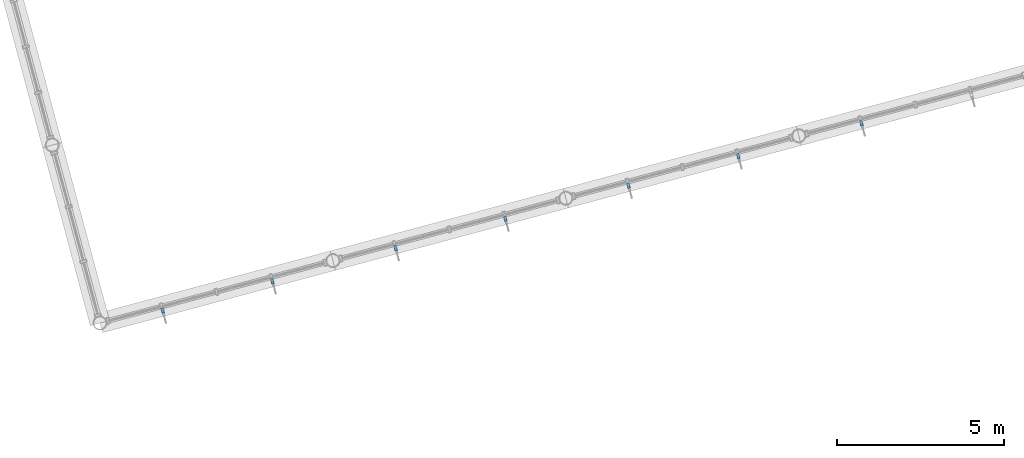
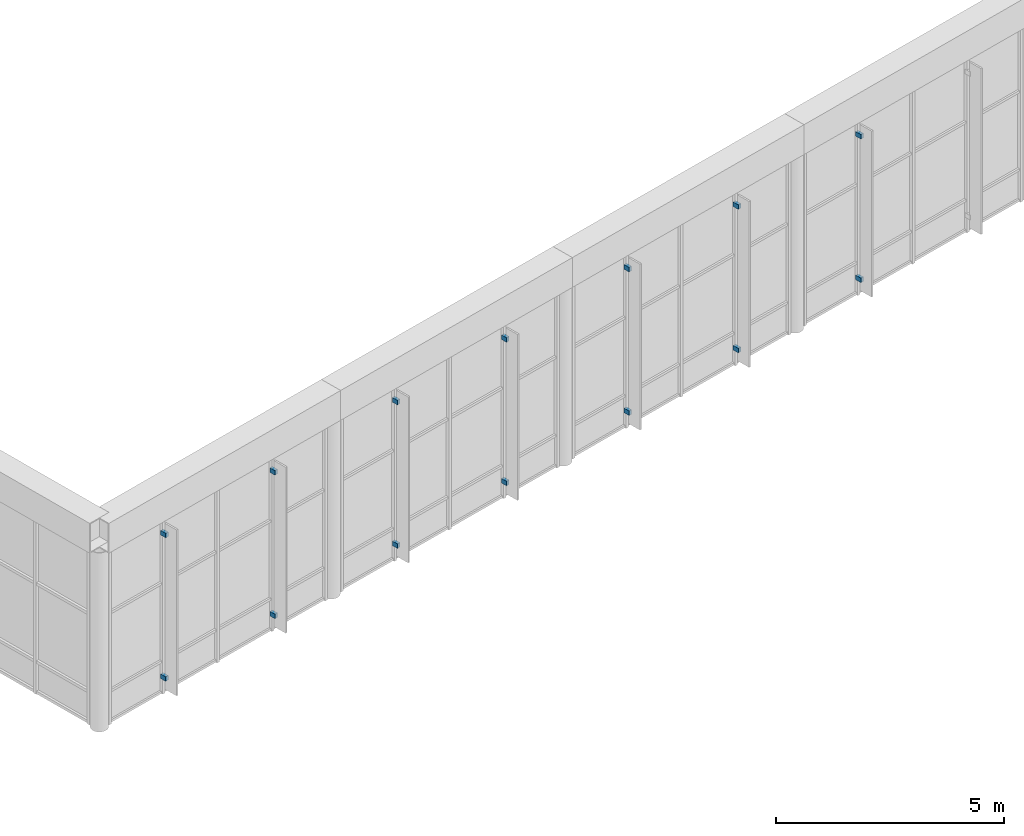
# One storey, part 47 of 55: 14 discrete accessories.
"""IFC4 building model written with IfcOpenShell, lengths in metres."""

from ifc_helpers import new_model, si_unit, direction, frame, origin, origin_2d, place, context, subcontext, project, spatial, rectangle, extrude, material, type_object, element, save


model = new_model("IFC4")

# Units and contexts
model_context = context("Model", 3, precision=1e-05, world=origin(), true_north=direction((0.0, 1.0)))
body_context = subcontext(model_context, "Body", "Model", "MODEL_VIEW")
ifc_project = project(units=[si_unit("LENGTHUNIT", "METRE"), si_unit("AREAUNIT", "SQUARE_METRE"), si_unit("VOLUMEUNIT", "CUBIC_METRE"), si_unit("PLANEANGLEUNIT", "RADIAN"), si_unit("MASSUNIT", "GRAM", prefix="KILO")], contexts=[model_context])

# Site, building, storey
site_placement = place(None, origin())
site = spatial("IfcSite", under=ifc_project, at=site_placement, CompositionType="ELEMENT")
building_placement = place(site_placement, origin())
building = spatial("IfcBuilding", under=site, at=building_placement, Name="Ventoquebrada Cableway Terminal", CompositionType="ELEMENT")
storey_placement = place(building_placement, frame((0.0, 0.0, 14.39990234375)))
storey = spatial("IfcBuildingStorey", under=building, at=storey_placement, Name="L03", CompositionType="ELEMENT", Elevation=14.39990234375)

# Discrete accessories
ifc_material = material(Name="Anodized thermally-broken aluminium", Category="aluminium")
discrete_accessory_type = type_object("IfcDiscreteAccessoryType", Name="BRK-01", PredefinedType="BRACKET", material=ifc_material)
for number, where, z_axis, x_axis, name in (
    (1, (53.847900390625, 70.160888671875, 0.39013671875), (0.0, 0.0, 1.0), (0.965921308897, 0.258835903649, 0.0), "Sunshade bracket FN-082"),
    (2, (53.847900390625, 70.160888671875, 4.239990234375), (0.0, 0.0, 1.0), (0.965921308897, 0.258835903649, 0.0), "Sunshade bracket FN-082"),
    (3, (57.125, 71.0390625, 0.39013671875), (0.0, 0.0, 1.0), (0.965921308897, 0.258835903649, 0.0), "Sunshade bracket FN-083"),
    (4, (57.125, 71.0390625, 4.239990234375), (0.0, 0.0, 1.0), (0.965921308897, 0.258835903649, 0.0), "Sunshade bracket FN-083"),
    (5, (60.802978515625, 72.02490234375, 0.39013671875), (0.0, 0.0, 1.0), (0.965948408834, 0.258734751187, 0.0), "Sunshade bracket FN-084"),
    (6, (60.802978515625, 72.02490234375, 4.239990234375), (0.0, 0.0, 1.0), (0.965948408834, 0.258734751187, 0.0), "Sunshade bracket FN-084"),
    (7, (64.0791015625, 72.902099609375, 0.39013671875), (0.0, 0.0, 1.0), (0.965948408834, 0.258734751187, 0.0), "Sunshade bracket FN-085"),
    (8, (64.0791015625, 72.902099609375, 4.239990234375), (0.0, 0.0, 1.0), (0.965948408834, 0.258734751187, 0.0), "Sunshade bracket FN-085"),
    (9, (67.757080078125, 73.887939453125, 0.39013671875), (0.0, 0.0, 1.0), (0.965921308897, 0.258835903649, 0.0), "Sunshade bracket FN-086"),
    (10, (67.757080078125, 73.887939453125, 4.239990234375), (0.0, 0.0, 1.0), (0.965921308897, 0.258835903649, 0.0), "Sunshade bracket FN-086"),
    (11, (71.033935546875, 74.76611328125, 0.39013671875), (0.0, 0.0, 1.0), (0.965921308897, 0.258835903649, 0.0), "Sunshade bracket FN-087"),
    (12, (71.033935546875, 74.76611328125, 4.239990234375), (0.0, 0.0, 1.0), (0.965921308897, 0.258835903649, 0.0), "Sunshade bracket FN-087"),
    (13, (74.7119140625, 75.751953125, 0.39013671875), (0.0, 0.0, 1.0), (0.965957439792, 0.258701033069, 0.0), "Sunshade bracket FN-088"),
    (14, (74.7119140625, 75.751953125, 4.239990234375), (0.0, 0.0, 1.0), (0.965957439792, 0.258701033069, 0.0), "Sunshade bracket FN-088"),
):
    element("IfcDiscreteAccessory", number, at=place(storey_placement, frame(where, z_axis=z_axis, x_axis=x_axis)), inside=storey, type_object=discrete_accessory_type, Name=name, PredefinedType="BRACKET", context=body_context, shape_type="SweptSolid", body=[
        extrude(rectangle(XDim=0.080078125, YDim=0.159912109375, at=origin_2d()), origin(), (0.0, 0.0, 1.0), 0.1201171875),
    ])

save(model, "model.ifc")
